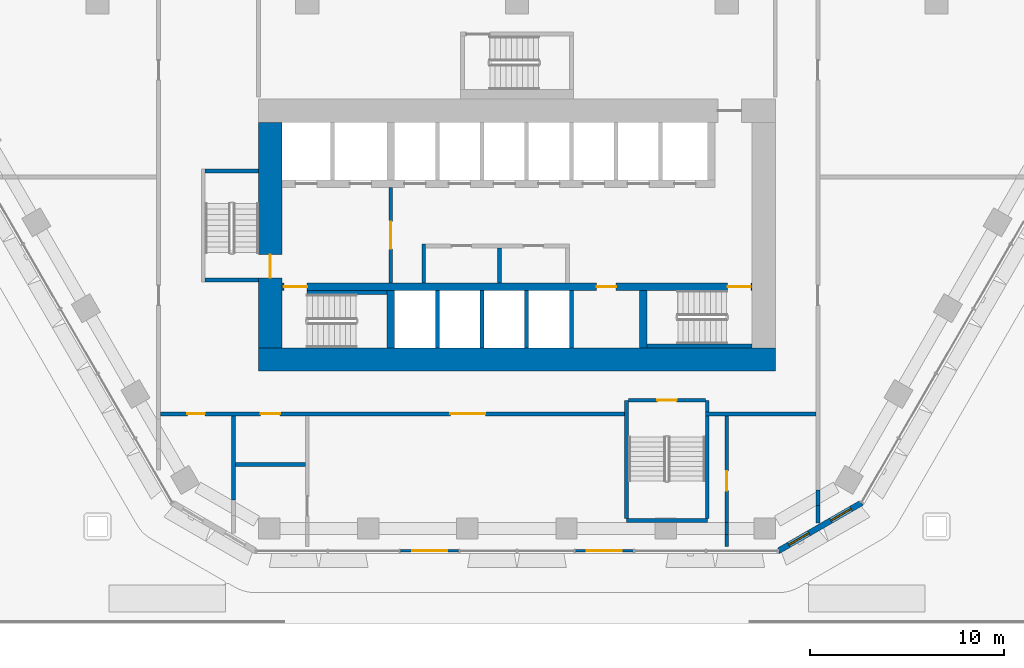
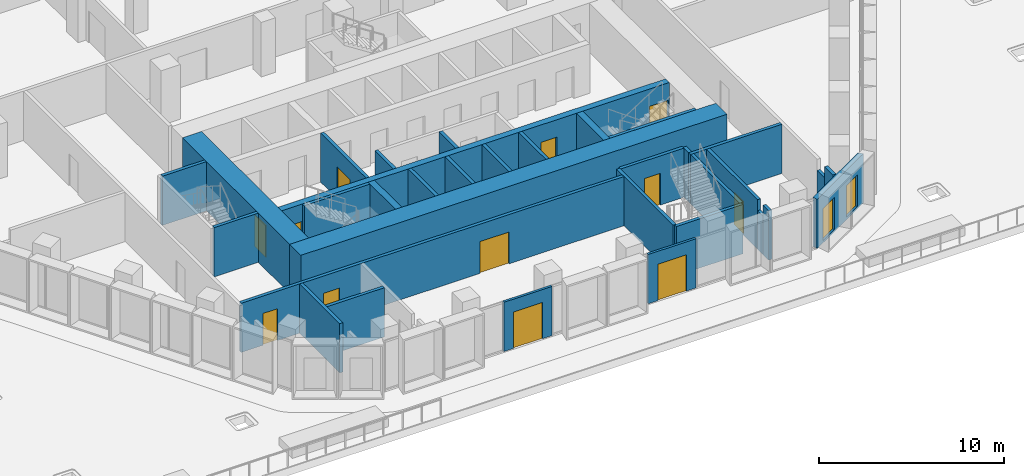
# One storey, part 22 of 38: 32 walls, 12 doors, 2 windows, 14 openings.
"""IFC4 building model written with IfcOpenShell, lengths in metres."""

from ifc_helpers import new_model, si_unit, direction, frame, frame_2d, origin, place, context, subcontext, project, spatial, polyline, rectangle, outline, extrude, material, layer, layer_set, type_object, element, fill, save


model = new_model("IFC4")

# Units and contexts
model_context = context("Model", 3, precision=1e-05, world=origin(), true_north=direction((0.0, 1.0)))
body_context = subcontext(model_context, "Body", "Model", "MODEL_VIEW")
ifc_project = project(units=[si_unit("LENGTHUNIT", "METRE"), si_unit("AREAUNIT", "SQUARE_METRE"), si_unit("VOLUMEUNIT", "CUBIC_METRE"), si_unit("PLANEANGLEUNIT", "RADIAN"), si_unit("MASSUNIT", "GRAM", prefix="KILO")], contexts=[model_context])

# Site, building, storey
site_placement = place(None, origin())
site = spatial("IfcSite", under=ifc_project, at=site_placement, CompositionType="ELEMENT")
building_placement = place(site_placement, origin())
building = spatial("IfcBuilding", under=site, at=building_placement, Name="Beryl Residences", CompositionType="ELEMENT")
storey_placement = place(building_placement, frame((0.0, 0.0, 9.0)))
storey = spatial("IfcBuildingStorey", under=building, at=storey_placement, Name="L02", CompositionType="ELEMENT", Elevation=9.0)

# Wall, openings, windows
ifc_material_1 = material(Name="Composite metal panel with mineral wool insulation")
ifc_layer_1 = layer(ifc_material_1, 0.300048828125)
ifc_layer_set_1 = layer_set([ifc_layer_1], Name="ES1 pale metal composite panel wall 300 mm")
wall_type_1 = type_object("IfcWallType", Name="ES1 pale metal composite panel wall 300 mm", PredefinedType="SOLIDWALL", material=ifc_layer_set_1)
wall_1_placement = place(storey_placement, frame((13.43505859375, -28.27001953125, 0.0), z_axis=(0.0, 0.0, 1.0), x_axis=(0.866010750942, 0.50002537861, 0.0)))
wall_1 = element("IfcWall", 1, at=wall_1_placement, inside=storey, type_object=wall_type_1, Name="ES1 external wall L02 S-SE", PredefinedType="SOLIDWALL", context=body_context, shape_type="SweptSolid", body=[
    extrude(outline(polyline([(0.0, -0.14990234375), (4.999755859375, -0.14990234375), (4.91943359375, 0.14990234375), (0.080322265625, 0.14990234375), (0.0, -0.14990234375)])), origin(), (0.0, 0.0, 1.0), 3.25),
])
opening_1_placement = place(wall_1_placement, frame((0.64990234375, 0.0, 0.14990234375)))
opening_1 = element("IfcOpeningElement", 2, at=opening_1_placement, cuts=wall_1, Name="Opening W2", PredefinedType="OPENING", context=body_context, shape_type="SweptSolid", body=[
    extrude(rectangle(XDim=1.199951171875, YDim=2.10009765625, at=frame_2d((0.60009765625, 1.050048828125))), frame((0.0, 0.159912109375, 0.0), z_axis=(0.0, -1.0, 0.0), x_axis=(1.0, 0.0, 0.0)), (0.0, 0.0, 1.0), 0.320068359375),
])
opening_2_placement = place(wall_1_placement, frame((3.14892578125, 0.0, 0.14990234375)))
opening_2 = element("IfcOpeningElement", 3, at=opening_2_placement, cuts=wall_1, Name="Opening W2", PredefinedType="OPENING", context=body_context, shape_type="SweptSolid", body=[
    extrude(rectangle(XDim=1.199951171875, YDim=2.10009765625, at=frame_2d((0.60009765625, 1.050048828125))), frame((0.0, 0.159912109375, 0.0), z_axis=(0.0, -1.0, 0.0), x_axis=(1.0, 0.0, 0.0)), (0.0, 0.0, 1.0), 0.320068359375),
])
ifc_material_2 = material(Name="Aluminium and clear glass", Category="aluminium")
window_type = type_object("IfcWindowType", Name="W2 chamfer window 1200 x 2100 mm", PartitioningType="SINGLE_PANEL", PredefinedType="WINDOW", material=ifc_material_2)
window_1_placement = place(opening_1_placement, origin())
window_1 = element("IfcWindow", 4, at=window_1_placement, inside=storey, type_object=window_type, Name="W2 window L02 S-SE 1", OverallHeight=2.10009765625, OverallWidth=1.199951171875, PartitioningType="SINGLE_PANEL", PredefinedType="WINDOW", context=body_context, shape_type="SweptSolid", body=[
    extrude(rectangle(XDim=1.199951171875, YDim=2.10009765625, at=frame_2d((0.60009765625, 1.050048828125))), frame((0.0, 0.030029296875, 0.0), z_axis=(0.0, -1.0, 0.0), x_axis=(1.0, 0.0, 0.0)), (0.0, 0.0, 1.0), 0.06005859375),
])
fill(opening_1, window_1)
window_2_placement = place(opening_2_placement, origin())
window_2 = element("IfcWindow", 5, at=window_2_placement, inside=storey, type_object=window_type, Name="W2 window L02 S-SE 2", OverallHeight=2.10009765625, OverallWidth=1.199951171875, PartitioningType="SINGLE_PANEL", PredefinedType="WINDOW", context=body_context, shape_type="SweptSolid", body=[
    extrude(rectangle(XDim=1.199951171875, YDim=2.10009765625, at=frame_2d((0.60009765625, 1.050048828125))), frame((0.0, 0.030029296875, 0.0), z_axis=(0.0, -1.0, 0.0), x_axis=(1.0, 0.0, 0.0)), (0.0, 0.0, 1.0), 0.06005859375),
])
fill(opening_2, window_2)

# Wall, opening, door
ifc_material_3 = material(Name="Aluminium framed insulated wall", Category="aluminium")
ifc_layer_2 = layer(ifc_material_3, 0.14990234375)
ifc_layer_set_2 = layer_set([ifc_layer_2], Name="GW1 glazed door wall 150 mm")
wall_type_2 = type_object("IfcWallType", Name="GW1 glazed door wall 150 mm", PredefinedType="SOLIDWALL", material=ifc_layer_set_2)
wall_2_placement = place(storey_placement, frame((-6.0, -28.25, 0.0), z_axis=(0.0, 0.0, 1.0), x_axis=(1.0, 0.0, 0.0)))
wall_2 = element("IfcWall", 6, at=wall_2_placement, inside=storey, type_object=wall_type_2, Name="GW1 door wall L02 S", PredefinedType="SOLIDWALL", context=body_context, shape_type="SweptSolid", body=[
    extrude(rectangle(XDim=3.0, YDim=0.14990234375, at=frame_2d((1.5, 0.0))), origin(), (0.0, 0.0, 1.0), 3.25),
])
opening_3_placement = place(wall_2_placement, frame((0.60009765625, 0.0, 0.0)))
opening_3 = element("IfcOpeningElement", 7, at=opening_3_placement, cuts=wall_2, Name="Opening SD3", PredefinedType="OPENING", context=body_context, shape_type="SweptSolid", body=[
    extrude(rectangle(XDim=1.800048828125, YDim=2.39990234375, at=frame_2d((0.89990234375, 1.199951171875))), frame((0.0, 0.0849609375, 0.0), z_axis=(0.0, -1.0, 0.0), x_axis=(1.0, 0.0, 0.0)), (0.0, 0.0, 1.0), 0.169921875),
])
ifc_material_4 = material(Name="Aluminium and clear glass", Category="aluminium")
door_type_1 = type_object("IfcDoorType", Name="SD3 sliding glass door 1800 x 2400 mm", OperationType="SLIDING_TO_LEFT", PredefinedType="DOOR", material=ifc_material_4)
door_1_placement = place(opening_3_placement, origin())
door_1 = element("IfcDoor", 8, at=door_1_placement, inside=storey, type_object=door_type_1, Name="SD3 garden door L02 S", OperationType="SLIDING_TO_LEFT", OverallHeight=2.39990234375, OverallWidth=1.800048828125, PredefinedType="DOOR", context=body_context, shape_type="SweptSolid", body=[
    extrude(rectangle(XDim=1.800048828125, YDim=2.39990234375, at=frame_2d((0.89990234375, 1.199951171875))), frame((0.0, 0.02490234375, 0.0), z_axis=(0.0, -1.0, 0.0), x_axis=(1.0, 0.0, 0.0)), (0.0, 0.0, 1.0), 0.050048828125),
])
fill(opening_3, door_1)

wall_3_placement = place(storey_placement, frame((3.0, -28.25, 0.0), z_axis=(0.0, 0.0, 1.0), x_axis=(1.0, 0.0, 0.0)))
wall_3 = element("IfcWall", 9, at=wall_3_placement, inside=storey, type_object=wall_type_2, Name="GW1 door wall L02 S", PredefinedType="SOLIDWALL", context=body_context, shape_type="SweptSolid", body=[
    extrude(rectangle(XDim=3.0, YDim=0.14990234375, at=frame_2d((1.5, 0.0))), origin(), (0.0, 0.0, 1.0), 3.25),
])
opening_4_placement = place(wall_3_placement, frame((0.60009765625, 0.0, 0.0)))
opening_4 = element("IfcOpeningElement", 10, at=opening_4_placement, cuts=wall_3, Name="Opening SD3", PredefinedType="OPENING", context=body_context, shape_type="SweptSolid", body=[
    extrude(rectangle(XDim=1.800048828125, YDim=2.39990234375, at=frame_2d((0.89990234375, 1.199951171875))), frame((0.0, 0.0849609375, 0.0), z_axis=(0.0, -1.0, 0.0), x_axis=(1.0, 0.0, 0.0)), (0.0, 0.0, 1.0), 0.169921875),
])
door_2_placement = place(opening_4_placement, origin())
door_2 = element("IfcDoor", 11, at=door_2_placement, inside=storey, type_object=door_type_1, Name="SD3 garden door L02 S", OperationType="SLIDING_TO_LEFT", OverallHeight=2.39990234375, OverallWidth=1.800048828125, PredefinedType="DOOR", context=body_context, shape_type="SweptSolid", body=[
    extrude(rectangle(XDim=1.800048828125, YDim=2.39990234375, at=frame_2d((0.89990234375, 1.199951171875))), frame((0.0, 0.02490234375, 0.0), z_axis=(0.0, -1.0, 0.0), x_axis=(1.0, 0.0, 0.0)), (0.0, 0.0, 1.0), 0.050048828125),
])
fill(opening_4, door_2)

ifc_material_5 = material(Name="Concrete masonry", Category="masonry")
ifc_layer_3 = layer(ifc_material_5, 0.199951171875)
ifc_layer_set_3 = layer_set([ifc_layer_3], Name="PT13 lobby wall 200 mm")
wall_type_3 = type_object("IfcWallType", Name="PT13 lobby wall 200 mm", PredefinedType="PARTITIONING", material=ifc_layer_set_3)
wall_4_placement = place(storey_placement, frame((-6.5, -14.449951171875, 0.0), z_axis=(0.0, 0.0, 1.0), x_axis=(0.0, 1.0, 0.0)))
wall_4 = element("IfcWall", 12, at=wall_4_placement, inside=storey, type_object=wall_type_3, Name="Lobby wall 06", PredefinedType="PARTITIONING", context=body_context, shape_type="SweptSolid", body=[
    extrude(rectangle(XDim=4.89990234375, YDim=0.199951171875, at=frame_2d((2.449951171875, 0.0))), origin(), (0.0, 0.0, 1.0), 3.25),
])
opening_5_placement = place(wall_4_placement, frame((3.14990234375, 0.0, 0.0), z_axis=(0.0, 0.0, 1.0), x_axis=(-1.0, 0.0, 0.0)))
opening_5 = element("IfcOpeningElement", 13, at=opening_5_placement, cuts=wall_4, Name="Opening FD-FFL", PredefinedType="OPENING", context=body_context, shape_type="SweptSolid", body=[
    extrude(rectangle(XDim=1.39990234375, YDim=2.10009765625, at=frame_2d((0.699951171875, 1.050048828125))), frame((0.0, 0.10986328125, 0.0), z_axis=(0.0, -1.0, 0.0), x_axis=(1.0, 0.0, 0.0)), (0.0, 0.0, 1.0), 0.219970703125),
])
ifc_material_6 = material(Name="Steel door leaf in steel frame", Category="steel")
door_type_2 = type_object("IfcDoorType", Name="D5 lobby door 1400 x 2100 mm", OperationType="DOUBLE_DOOR_SINGLE_SWING", PredefinedType="DOOR", material=ifc_material_6)
door_3_placement = place(opening_5_placement, origin())
door_3 = element("IfcDoor", 14, at=door_3_placement, inside=storey, type_object=door_type_2, Name="Door FD-FFL L02 001", OperationType="DOUBLE_DOOR_SINGLE_SWING", OverallHeight=2.10009765625, OverallWidth=1.39990234375, PredefinedType="DOOR", context=body_context, shape_type="SweptSolid", body=[
    extrude(rectangle(XDim=1.39990234375, YDim=2.10009765625, at=frame_2d((0.699951171875, 1.050048828125))), frame((0.0, 0.02490234375, 0.0), z_axis=(0.0, -1.0, 0.0), x_axis=(1.0, 0.0, 0.0)), (0.0, 0.0, 1.0), 0.050048828125),
])
fill(opening_5, door_3)

# Wall
wall_5_placement = place(storey_placement, frame((-4.800048828125, -14.449951171875, 0.0), z_axis=(0.0, 0.0, 1.0), x_axis=(0.0, 1.0, 0.0)))
element("IfcWall", 15, at=wall_5_placement, inside=storey, type_object=wall_type_3, Name="Lobby wall 07", PredefinedType="PARTITIONING", context=body_context, shape_type="SweptSolid", body=[
    extrude(rectangle(XDim=2.0, YDim=0.199951171875, at=frame_2d((1.0, 0.0))), origin(), (0.0, 0.0, 1.0), 3.25),
])

# Wall, openings, doors
ifc_material_7 = material(Name="Double stud gypsum board wall")
ifc_layer_4 = layer(ifc_material_7, 0.199951171875)
ifc_layer_set_4 = layer_set([ifc_layer_4], Name="PT4 corridor wall 200 mm double stud")
wall_type_4 = type_object("IfcWallType", Name="PT4 corridor wall 200 mm double stud", PredefinedType="PARTITIONING", material=ifc_layer_set_4)
wall_6_placement = place(storey_placement, frame((-18.35009765625, -21.199951171875, 0.0), z_axis=(0.0, 0.0, 1.0), x_axis=(1.0, 0.0, 0.0)))
wall_6 = element("IfcWall", 16, at=wall_6_placement, inside=storey, type_object=wall_type_4, Name="Wall PT4 L02 001", PredefinedType="PARTITIONING", context=body_context, shape_type="SweptSolid", body=[
    extrude(rectangle(XDim=24.10009765625, YDim=0.199951171875, at=frame_2d((12.050048828125, 0.0))), origin(), (0.0, 0.0, 1.0), 3.25),
])
opening_6_placement = place(wall_6_placement, frame((2.27685546875, 0.0, 0.0), z_axis=(0.0, 0.0, 1.0), x_axis=(-1.0, 0.0, 0.0)))
opening_6 = element("IfcOpeningElement", 17, at=opening_6_placement, cuts=wall_6, Name="Opening L02-01", PredefinedType="OPENING", context=body_context, shape_type="SweptSolid", body=[
    extrude(rectangle(XDim=0.89990234375, YDim=2.10009765625, at=frame_2d((0.449951171875, 1.050048828125))), frame((0.0, 0.10986328125, 0.0), z_axis=(0.0, -1.0, 0.0), x_axis=(1.0, 0.0, 0.0)), (0.0, 0.0, 1.0), 0.219970703125),
])
opening_7_placement = place(wall_6_placement, frame((6.14990234375, 0.0, 0.0), z_axis=(0.0, 0.0, 1.0), x_axis=(-1.0, 0.0, 0.0)))
opening_7 = element("IfcOpeningElement", 18, at=opening_7_placement, cuts=wall_6, Name="Opening L02-02", PredefinedType="OPENING", context=body_context, shape_type="SweptSolid", body=[
    extrude(rectangle(XDim=1.0, YDim=2.10009765625, at=frame_2d((0.5, 1.050048828125))), frame((0.0, 0.10986328125, 0.0), z_axis=(0.0, -1.0, 0.0), x_axis=(1.0, 0.0, 0.0)), (0.0, 0.0, 1.0), 0.219970703125),
])
opening_8_placement = place(wall_6_placement, frame((14.923095703125, 0.0, 0.0)))
opening_8 = element("IfcOpeningElement", 19, at=opening_8_placement, cuts=wall_6, Name="Opening L02-27", PredefinedType="OPENING", context=body_context, shape_type="SweptSolid", body=[
    extrude(rectangle(XDim=1.800048828125, YDim=2.10009765625, at=frame_2d((0.89990234375, 1.050048828125))), frame((0.0, 0.10986328125, 0.0), z_axis=(0.0, -1.0, 0.0), x_axis=(1.0, 0.0, 0.0)), (0.0, 0.0, 1.0), 0.219970703125),
])
ifc_material_8 = material(Name="Timber door leaf", Category="wood")
door_type_3 = type_object("IfcDoorType", Name="D19 room door 1000 x 2100 mm", OperationType="SINGLE_SWING_LEFT", PredefinedType="DOOR", material=ifc_material_8)
door_4_placement = place(opening_7_placement, origin())
door_4 = element("IfcDoor", 20, at=door_4_placement, inside=storey, type_object=door_type_3, Name="Door L02-02 L02 001", OperationType="SINGLE_SWING_LEFT", OverallHeight=2.10009765625, OverallWidth=1.0, PredefinedType="DOOR", context=body_context, shape_type="SweptSolid", body=[
    extrude(rectangle(XDim=1.0, YDim=2.10009765625, at=frame_2d((0.5, 1.050048828125))), frame((0.0, 0.02490234375, 0.0), z_axis=(0.0, -1.0, 0.0), x_axis=(1.0, 0.0, 0.0)), (0.0, 0.0, 1.0), 0.050048828125),
])
fill(opening_7, door_4)
ifc_material_9 = material(Name="Timber door leaf", Category="wood")
door_type_4 = type_object("IfcDoorType", Name="D2 room door 900 x 2100 mm", OperationType="SINGLE_SWING_LEFT", PredefinedType="DOOR", material=ifc_material_9)
door_5_placement = place(opening_6_placement, origin())
door_5 = element("IfcDoor", 21, at=door_5_placement, inside=storey, type_object=door_type_4, Name="Door L02-01 L02 001", OperationType="SINGLE_SWING_RIGHT", OverallHeight=2.10009765625, OverallWidth=0.89990234375, PredefinedType="DOOR", context=body_context, shape_type="SweptSolid", body=[
    extrude(rectangle(XDim=0.89990234375, YDim=2.10009765625, at=frame_2d((0.449951171875, 1.050048828125))), frame((0.0, 0.02490234375, 0.0), z_axis=(0.0, -1.0, 0.0), x_axis=(1.0, 0.0, 0.0)), (0.0, 0.0, 1.0), 0.050048828125),
])
fill(opening_6, door_5)
ifc_material_10 = material(Name="Timber door leaf", Category="wood")
door_type_5 = type_object("IfcDoorType", Name="D20 corridor door 1800 x 2100 mm", OperationType="DOUBLE_DOOR_SINGLE_SWING", PredefinedType="DOOR", material=ifc_material_10)
door_6_placement = place(opening_8_placement, origin())
door_6 = element("IfcDoor", 22, at=door_6_placement, inside=storey, type_object=door_type_5, Name="Door L02-27 L02 001", OperationType="DOUBLE_DOOR_SINGLE_SWING", OverallHeight=2.10009765625, OverallWidth=1.800048828125, PredefinedType="DOOR", context=body_context, shape_type="SweptSolid", body=[
    extrude(rectangle(XDim=1.800048828125, YDim=2.10009765625, at=frame_2d((0.89990234375, 1.050048828125))), frame((0.0, 0.02490234375, 0.0), z_axis=(0.0, -1.0, 0.0), x_axis=(1.0, 0.0, 0.0)), (0.0, 0.0, 1.0), 0.050048828125),
])
fill(opening_8, door_6)

# Wall
ifc_material_11 = material(Name="Concrete C40/50", Category="concrete")
ifc_layer_5 = layer(ifc_material_11, 0.199951171875)
ifc_layer_set_5 = layer_set([ifc_layer_5], Name="PT5 stair enclosure wall 200 mm reinforced concrete C40/50")
wall_type_5 = type_object("IfcWallType", Name="PT5 stair enclosure wall 200 mm reinforced concrete C40/50", PredefinedType="SOLIDWALL", material=ifc_layer_set_5)
wall_7_placement = place(storey_placement, frame((5.64990234375, -26.699951171875, 0.0), z_axis=(0.0, 0.0, 1.0), x_axis=(1.0, 0.0, 0.0)))
element("IfcWall", 23, at=wall_7_placement, inside=storey, type_object=wall_type_5, Name="Wall PT5 L02 005", PredefinedType="SOLIDWALL", context=body_context, shape_type="SweptSolid", body=[
    extrude(rectangle(XDim=4.150146484375, YDim=0.199951171875, at=frame_2d((2.0751953125, 0.0))), origin(), (0.0, 0.0, 1.0), 3.25),
])

# Wall, opening, door
wall_8_placement = place(storey_placement, frame((5.75, -20.5, 0.0), z_axis=(0.0, 0.0, 1.0), x_axis=(1.0, 0.0, 0.0)))
wall_8 = element("IfcWall", 24, at=wall_8_placement, inside=storey, type_object=wall_type_5, Name="Wall PT5 L02 007", PredefinedType="SOLIDWALL", context=body_context, shape_type="SweptSolid", body=[
    extrude(rectangle(XDim=3.949951171875, YDim=0.199951171875, at=frame_2d((1.97509765625, 0.0))), origin(), (0.0, 0.0, 1.0), 3.25),
])
opening_9_placement = place(wall_8_placement, frame((2.47509765625, 0.0, 0.0), z_axis=(0.0, 0.0, 1.0), x_axis=(-1.0, 0.0, 0.0)))
opening_9 = element("IfcOpeningElement", 25, at=opening_9_placement, cuts=wall_8, Name="Opening L02-16", PredefinedType="OPENING", context=body_context, shape_type="SweptSolid", body=[
    extrude(rectangle(XDim=1.0, YDim=2.10009765625, at=frame_2d((0.5, 1.050048828125))), frame((0.0, 0.10986328125, 0.0), z_axis=(0.0, -1.0, 0.0), x_axis=(1.0, 0.0, 0.0)), (0.0, 0.0, 1.0), 0.219970703125),
])
ifc_material_12 = material(Name="Steel door leaf in steel frame", Category="steel")
door_type_6 = type_object("IfcDoorType", Name="D15 stair door 1000 x 2100 mm", OperationType="SINGLE_SWING_LEFT", PredefinedType="DOOR", material=ifc_material_12)
door_7_placement = place(opening_9_placement, origin())
door_7 = element("IfcDoor", 26, at=door_7_placement, inside=storey, type_object=door_type_6, Name="Door L02-16 L02 001", OperationType="SINGLE_SWING_LEFT", OverallHeight=2.10009765625, OverallWidth=1.0, PredefinedType="DOOR", context=body_context, shape_type="SweptSolid", body=[
    extrude(rectangle(XDim=1.0, YDim=2.10009765625, at=frame_2d((0.5, 1.050048828125))), frame((0.0, 0.02490234375, 0.0), z_axis=(0.0, -1.0, 0.0), x_axis=(1.0, 0.0, 0.0)), (0.0, 0.0, 1.0), 0.050048828125),
])
fill(opening_9, door_7)

# Walls
for number, where, z_axis, x_axis, name in (
    (27, (5.64990234375, -26.60009765625, 0.0), (0.0, 0.0, 1.0), (0.0, 1.0, 0.0), "Wall PT5 L02 026"),
    (28, (9.800048828125, -26.60009765625, 0.0), (0.0, 0.0, 1.0), (0.0, 1.0, 0.0), "Wall PT5 L02 027"),
):
    element("IfcWall", number, at=place(storey_placement, frame(where, z_axis=z_axis, x_axis=x_axis)), inside=storey, type_object=wall_type_5, Name=name, PredefinedType="SOLIDWALL", context=body_context, shape_type="SweptSolid", body=[
        extrude(rectangle(XDim=6.10009765625, YDim=0.199951171875, at=frame_2d((3.050048828125, 0.0))), origin(), (0.0, 0.0, 1.0), 3.25),
    ])
for number, where, z_axis, x_axis, name in (
    (29, (-16.050048828125, -14.300048828125, 0.0), (0.0, 0.0, 1.0), (1.0, 0.0, 0.0), "Stair wall 02"),
    (30, (-16.050048828125, -8.699951171875, 0.0), (0.0, 0.0, 1.0), (1.0, 0.0, 0.0), "Stair wall 03"),
):
    element("IfcWall", number, at=place(storey_placement, frame(where, z_axis=z_axis, x_axis=x_axis)), inside=storey, type_object=wall_type_5, Name=name, PredefinedType="SOLIDWALL", context=body_context, shape_type="SweptSolid", body=[
        extrude(rectangle(XDim=2.75, YDim=0.199951171875, at=frame_2d((1.375, 0.0))), origin(), (0.0, 0.0, 1.0), 3.25),
    ])
wall_9_placement = place(storey_placement, frame((-10.800048828125, -14.949951171875, 0.0), z_axis=(0.0, 0.0, 1.0), x_axis=(1.0, 0.0, 0.0)))
element("IfcWall", 31, at=wall_9_placement, inside=storey, type_object=wall_type_5, Name="Stair wall 04", PredefinedType="SOLIDWALL", context=body_context, shape_type="SweptSolid", body=[
    extrude(rectangle(XDim=4.10009765625, YDim=0.199951171875, at=frame_2d((2.050048828125, 0.0))), origin(), (0.0, 0.0, 1.0), 3.25),
])
wall_10_placement = place(storey_placement, frame((6.699951171875, -17.699951171875, 0.0), z_axis=(0.0, 0.0, 1.0), x_axis=(1.0, 0.0, 0.0)))
element("IfcWall", 32, at=wall_10_placement, inside=storey, type_object=wall_type_5, Name="Stair wall 20", PredefinedType="SOLIDWALL", context=body_context, shape_type="SweptSolid", body=[
    extrude(rectangle(XDim=5.400146484375, YDim=0.199951171875, at=frame_2d((2.7001953125, 0.0))), origin(), (0.0, 0.0, 1.0), 3.25),
])
ifc_material_13 = material(Name="Concrete C40/50", Category="concrete")
ifc_layer_6 = layer(ifc_material_13, 0.199951171875)
ifc_layer_set_6 = layer_set([ifc_layer_6], Name="PT6 lift shaft wall 200 mm reinforced concrete C40/50")
wall_type_6 = type_object("IfcWallType", Name="PT6 lift shaft wall 200 mm reinforced concrete C40/50", PredefinedType="SOLIDWALL", material=ifc_layer_set_6)
for number, where, z_axis, x_axis, name in (
    (33, (-4.10009765625, -17.800048828125, 0.0), (0.0, 0.0, 1.0), (0.0, 1.0, 0.0), "Lift shaft wall 09"),
    (34, (-1.800048828125, -17.800048828125, 0.0), (0.0, 0.0, 1.0), (0.0, 1.0, 0.0), "Lift shaft wall 11"),
    (35, (0.5, -17.800048828125, 0.0), (0.0, 0.0, 1.0), (0.0, 1.0, 0.0), "Lift shaft wall 14"),
    (36, (2.800048828125, -17.800048828125, 0.0), (0.0, 0.0, 1.0), (0.0, 1.0, 0.0), "Lift shaft wall 17"),
):
    element("IfcWall", number, at=place(storey_placement, frame(where, z_axis=z_axis, x_axis=x_axis)), inside=storey, type_object=wall_type_6, Name=name, PredefinedType="SOLIDWALL", context=body_context, shape_type="SweptSolid", body=[
        extrude(rectangle(XDim=2.949951171875, YDim=0.199951171875, at=frame_2d((1.47509765625, 0.0))), origin(), (0.0, 0.0, 1.0), 3.25),
    ])
ifc_material_14 = material(Name="Concrete masonry", Category="masonry")
ifc_layer_7 = layer(ifc_material_14, 0.199951171875)
ifc_layer_set_7 = layer_set([ifc_layer_7], Name="PT8-200 service room wall 200 mm")
wall_type_7 = type_object("IfcWallType", Name="PT8-200 service room wall 200 mm", PredefinedType="PARTITIONING", material=ifc_layer_set_7)
wall_11_placement = place(storey_placement, frame((-14.5, -23.800048828125, 0.0), z_axis=(0.0, 0.0, 1.0), x_axis=(1.0, 0.0, 0.0)))
element("IfcWall", 37, at=wall_11_placement, inside=storey, type_object=wall_type_7, Name="Wall PT8-200 L02 001", PredefinedType="PARTITIONING", context=body_context, shape_type="SweptSolid", body=[
    extrude(rectangle(XDim=3.60009765625, YDim=0.199951171875, at=frame_2d((1.800048828125, 0.0))), origin(), (0.0, 0.0, 1.0), 3.25),
])
wall_12_placement = place(storey_placement, frame((9.699951171875, -21.199951171875, 0.0), z_axis=(0.0, 0.0, 1.0), x_axis=(1.0, 0.0, 0.0)))
element("IfcWall", 38, at=wall_12_placement, inside=storey, type_object=wall_type_7, Name="Wall PT8-200 L02 002", PredefinedType="PARTITIONING", context=body_context, shape_type="SweptSolid", body=[
    extrude(rectangle(XDim=5.699951171875, YDim=0.199951171875, at=frame_2d((2.85009765625, 0.0))), origin(), (0.0, 0.0, 1.0), 3.25),
])
wall_13_placement = place(storey_placement, frame((-14.60009765625, -25.633056640625, 0.0), z_axis=(0.0, 0.0, 1.0), x_axis=(0.0, 1.0, 0.0)))
element("IfcWall", 39, at=wall_13_placement, inside=storey, type_object=wall_type_7, Name="Wall PT8-200 L02 005", PredefinedType="PARTITIONING", context=body_context, shape_type="SweptSolid", body=[
    extrude(rectangle(XDim=4.3330078125, YDim=0.199951171875, at=frame_2d((2.16650390625, 0.0))), origin(), (0.0, 0.0, 1.0), 3.25),
])
wall_14_placement = place(storey_placement, frame((10.800048828125, -28.02001953125, 0.0), z_axis=(0.0, 0.0, 1.0), x_axis=(0.0, 1.0, 0.0)))
element("IfcWall", 40, at=wall_14_placement, inside=storey, type_object=wall_type_7, Name="Wall PT8-200 L02 009", PredefinedType="PARTITIONING", context=body_context, shape_type="SweptSolid", body=[
    extrude(rectangle(XDim=0.6201171875, YDim=0.199951171875, at=frame_2d((0.31005859375, 0.0))), origin(), (0.0, 0.0, 1.0), 3.25),
])
wall_15_placement = place(storey_placement, frame((10.800048828125, -27.39990234375, 0.0), z_axis=(0.0, 0.0, 1.0), x_axis=(0.0, 1.0, 0.0)))
element("IfcWall", 41, at=wall_15_placement, inside=storey, type_object=wall_type_7, Name="Wall PT8-200 L02 010", PredefinedType="PARTITIONING", context=body_context, shape_type="SweptSolid", body=[
    extrude(rectangle(XDim=0.599853515625, YDim=0.199951171875, at=frame_2d((0.2998046875, 0.0))), origin(), (0.0, 0.0, 1.0), 2.52001953125),
])

# Wall, opening, door
wall_16_placement = place(storey_placement, frame((10.800048828125, -26.800048828125, 0.0), z_axis=(0.0, 0.0, 1.0), x_axis=(0.0, 1.0, 0.0)))
wall_16 = element("IfcWall", 42, at=wall_16_placement, inside=storey, type_object=wall_type_7, Name="Wall PT8-200 L02 011", PredefinedType="PARTITIONING", context=body_context, shape_type="SweptSolid", body=[
    extrude(rectangle(XDim=5.5, YDim=0.199951171875, at=frame_2d((2.75, 0.0))), origin(), (0.0, 0.0, 1.0), 3.25),
])
opening_10_placement = place(wall_16_placement, frame((2.64990234375, 0.0, 0.0), z_axis=(0.0, 0.0, 1.0), x_axis=(-1.0, 0.0, 0.0)))
opening_10 = element("IfcOpeningElement", 43, at=opening_10_placement, cuts=wall_16, Name="Opening L02-04", PredefinedType="OPENING", context=body_context, shape_type="SweptSolid", body=[
    extrude(rectangle(XDim=1.0, YDim=2.10009765625, at=frame_2d((0.5, 1.050048828125))), frame((0.0, 0.10986328125, 0.0), z_axis=(0.0, -1.0, 0.0), x_axis=(1.0, 0.0, 0.0)), (0.0, 0.0, 1.0), 0.219970703125),
])
ifc_material_15 = material(Name="Timber door leaf", Category="wood")
door_type_7 = type_object("IfcDoorType", Name="D9 corridor door 1000 x 2100 mm", OperationType="SINGLE_SWING_LEFT", PredefinedType="DOOR", material=ifc_material_15)
door_8_placement = place(opening_10_placement, origin())
door_8 = element("IfcDoor", 44, at=door_8_placement, inside=storey, type_object=door_type_7, Name="Door L02-04 L02 001", OperationType="SINGLE_SWING_LEFT", OverallHeight=2.10009765625, OverallWidth=1.0, PredefinedType="DOOR", context=body_context, shape_type="SweptSolid", body=[
    extrude(rectangle(XDim=1.0, YDim=2.10009765625, at=frame_2d((0.5, 1.050048828125))), frame((0.0, 0.02490234375, 0.0), z_axis=(0.0, -1.0, 0.0), x_axis=(1.0, 0.0, 0.0)), (0.0, 0.0, 1.0), 0.050048828125),
])
fill(opening_10, door_8)

# Walls
wall_17_placement = place(storey_placement, frame((15.5, -26.81201171875, 0.0), z_axis=(0.0, 0.0, 1.0), x_axis=(0.0, 1.0, 0.0)))
element("IfcWall", 45, at=wall_17_placement, inside=storey, type_object=wall_type_7, Name="Wall PT8-200 L02 012", PredefinedType="PARTITIONING", context=body_context, shape_type="SweptSolid", body=[
    extrude(rectangle(XDim=0.889892578125, YDim=0.199951171875, at=frame_2d((0.44482421875, 0.0))), origin(), (0.0, 0.0, 1.0), 3.25),
])
wall_18_placement = place(storey_placement, frame((15.5, -25.922119140625, 0.0), z_axis=(0.0, 0.0, 1.0), x_axis=(0.0, 1.0, 0.0)))
element("IfcWall", 46, at=wall_18_placement, inside=storey, type_object=wall_type_7, Name="Wall PT8-200 L02 013", PredefinedType="PARTITIONING", context=body_context, shape_type="SweptSolid", body=[
    extrude(rectangle(XDim=0.80810546875, YDim=0.199951171875, at=frame_2d((0.404052734375, 0.0))), origin(), (0.0, 0.0, 1.0), 2.52001953125),
])
wall_19_placement = place(storey_placement, frame((-0.89990234375, -14.449951171875, 0.0), z_axis=(0.0, 0.0, 1.0), x_axis=(0.0, 1.0, 0.0)))
element("IfcWall", 47, at=wall_19_placement, inside=storey, type_object=wall_type_7, Name="Core room wall 13", PredefinedType="PARTITIONING", context=body_context, shape_type="SweptSolid", body=[
    extrude(rectangle(XDim=1.800048828125, YDim=0.199951171875, at=frame_2d((0.89990234375, 0.0))), origin(), (0.0, 0.0, 1.0), 3.25),
])
ifc_material_16 = material(Name="Concrete C80/95", Category="concrete")
ifc_layer_8 = layer(ifc_material_16, 1.199951171875)
ifc_layer_set_8 = layer_set([ifc_layer_8], Name="SW1 core outer wall 1200 mm C80/95")
wall_type_8 = type_object("IfcWallType", Name="SW1 core outer wall 1200 mm C80/95", PredefinedType="SHEAR", material=ifc_layer_set_8)
wall_20_placement = place(storey_placement, frame((-13.300048828125, -18.39990234375, 0.0), z_axis=(0.0, 0.0, 1.0), x_axis=(1.0, 0.0, 0.0)))
element("IfcWall", 48, at=wall_20_placement, inside=storey, type_object=wall_type_8, Name="Core wall S L02", PredefinedType="SHEAR", context=body_context, shape_type="SweptSolid", body=[
    extrude(rectangle(XDim=26.60009765625, YDim=1.199951171875, at=frame_2d((13.300048828125, 0.0))), origin(), (0.0, 0.0, 1.0), 3.25),
])

# Wall, opening, door
wall_21_placement = place(storey_placement, frame((-12.699951171875, -17.800048828125, 0.0), z_axis=(0.0, 0.0, 1.0), x_axis=(0.0, 1.0, 0.0)))
wall_21 = element("IfcWall", 49, at=wall_21_placement, inside=storey, type_object=wall_type_8, Name="Core wall W L02", PredefinedType="SHEAR", context=body_context, shape_type="SweptSolid", body=[
    extrude(rectangle(XDim=11.60009765625, YDim=1.199951171875, at=frame_2d((5.800048828125, 0.0))), origin(), (0.0, 0.0, 1.0), 3.25),
])
opening_11_placement = place(wall_21_placement, frame((3.60009765625, 0.0, 0.0)))
opening_11 = element("IfcOpeningElement", 50, at=opening_11_placement, cuts=wall_21, Name="Opening SD-2", PredefinedType="OPENING", context=body_context, shape_type="SweptSolid", body=[
    extrude(rectangle(XDim=1.199951171875, YDim=2.10009765625, at=frame_2d((0.60009765625, 1.050048828125))), frame((0.0, 0.60986328125, 0.0), z_axis=(0.0, -1.0, 0.0), x_axis=(1.0, 0.0, 0.0)), (0.0, 0.0, 1.0), 1.219970703125),
])
ifc_material_17 = material(Name="Steel door leaf in steel frame", Category="steel")
door_type_8 = type_object("IfcDoorType", Name="D4 stair door 1200 x 2100 mm", OperationType="SINGLE_SWING_LEFT", PredefinedType="DOOR", material=ifc_material_17)
door_9_placement = place(opening_11_placement, origin())
door_9 = element("IfcDoor", 51, at=door_9_placement, inside=storey, type_object=door_type_8, Name="Door SD-2 L02 001", OperationType="SINGLE_SWING_RIGHT", OverallHeight=2.10009765625, OverallWidth=1.199951171875, PredefinedType="DOOR", context=body_context, shape_type="SweptSolid", body=[
    extrude(rectangle(XDim=1.199951171875, YDim=2.10009765625, at=frame_2d((0.60009765625, 1.050048828125))), frame((0.0, 0.02490234375, 0.0), z_axis=(0.0, -1.0, 0.0), x_axis=(1.0, 0.0, 0.0)), (0.0, 0.0, 1.0), 0.050048828125),
])
fill(opening_11, door_9)

# Wall, openings, doors
ifc_material_18 = material(Name="Concrete C80/95", Category="concrete")
ifc_layer_9 = layer(ifc_material_18, 0.39990234375)
ifc_layer_set_9 = layer_set([ifc_layer_9], Name="SW6 core internal wall 400 mm C80/95")
wall_type_9 = type_object("IfcWallType", Name="SW6 core internal wall 400 mm C80/95", PredefinedType="SHEAR", material=ifc_layer_set_9)
wall_22_placement = place(storey_placement, frame((-12.10009765625, -14.64990234375, 0.0), z_axis=(0.0, 0.0, 1.0), x_axis=(1.0, 0.0, 0.0)))
wall_22 = element("IfcWall", 52, at=wall_22_placement, inside=storey, type_object=wall_type_9, Name="Core wall SP1 L02", PredefinedType="SHEAR", context=body_context, shape_type="SweptSolid", body=[
    extrude(rectangle(XDim=24.2001953125, YDim=0.39990234375, at=frame_2d((12.10009765625, 0.0))), origin(), (0.0, 0.0, 1.0), 3.25),
])
opening_12_placement = place(wall_22_placement, frame((1.300048828125, 0.0, 0.0), z_axis=(0.0, 0.0, 1.0), x_axis=(-1.0, 0.0, 0.0)))
opening_12 = element("IfcOpeningElement", 53, at=opening_12_placement, cuts=wall_22, Name="Opening SD-1", PredefinedType="OPENING", context=body_context, shape_type="SweptSolid", body=[
    extrude(rectangle(XDim=1.199951171875, YDim=2.10009765625, at=frame_2d((0.60009765625, 1.050048828125))), frame((0.0, 0.2099609375, 0.0), z_axis=(0.0, -1.0, 0.0), x_axis=(1.0, 0.0, 0.0)), (0.0, 0.0, 1.0), 0.419921875),
])
opening_13_placement = place(wall_22_placement, frame((24.14990234375, 0.0, 0.0), z_axis=(0.0, 0.0, 1.0), x_axis=(-1.0, 0.0, 0.0)))
opening_13 = element("IfcOpeningElement", 54, at=opening_13_placement, cuts=wall_22, Name="Opening SD-3", PredefinedType="OPENING", context=body_context, shape_type="SweptSolid", body=[
    extrude(rectangle(XDim=1.199951171875, YDim=2.10009765625, at=frame_2d((0.60009765625, 1.050048828125))), frame((0.0, 0.2099609375, 0.0), z_axis=(0.0, -1.0, 0.0), x_axis=(1.0, 0.0, 0.0)), (0.0, 0.0, 1.0), 0.419921875),
])
opening_14_placement = place(wall_22_placement, frame((17.199951171875, 0.0, 0.0), z_axis=(0.0, 0.0, 1.0), x_axis=(-1.0, 0.0, 0.0)))
opening_14 = element("IfcOpeningElement", 55, at=opening_14_placement, cuts=wall_22, Name="Opening CD-D-S1", PredefinedType="OPENING", context=body_context, shape_type="SweptSolid", body=[
    extrude(rectangle(XDim=1.0, YDim=2.10009765625, at=frame_2d((0.5, 1.050048828125))), frame((0.0, 0.2099609375, 0.0), z_axis=(0.0, -1.0, 0.0), x_axis=(1.0, 0.0, 0.0)), (0.0, 0.0, 1.0), 0.419921875),
])
ifc_material_19 = material(Name="Steel door leaf in steel frame", Category="steel")
door_type_9 = type_object("IfcDoorType", Name="D18 service room door 1000 x 2100 mm", OperationType="SINGLE_SWING_LEFT", PredefinedType="DOOR", material=ifc_material_19)
door_10_placement = place(opening_14_placement, origin())
door_10 = element("IfcDoor", 56, at=door_10_placement, inside=storey, type_object=door_type_9, Name="Door CD-D-S1 L02 001", OperationType="SINGLE_SWING_RIGHT", OverallHeight=2.10009765625, OverallWidth=1.0, PredefinedType="DOOR", context=body_context, shape_type="SweptSolid", body=[
    extrude(rectangle(XDim=1.0, YDim=2.10009765625, at=frame_2d((0.5, 1.050048828125))), frame((0.0, 0.02490234375, 0.0), z_axis=(0.0, -1.0, 0.0), x_axis=(1.0, 0.0, 0.0)), (0.0, 0.0, 1.0), 0.050048828125),
])
fill(opening_14, door_10)
door_11_placement = place(opening_12_placement, origin())
door_11 = element("IfcDoor", 57, at=door_11_placement, inside=storey, type_object=door_type_8, Name="Door SD-1 L02 001", OperationType="SINGLE_SWING_RIGHT", OverallHeight=2.10009765625, OverallWidth=1.199951171875, PredefinedType="DOOR", context=body_context, shape_type="SweptSolid", body=[
    extrude(rectangle(XDim=1.199951171875, YDim=2.10009765625, at=frame_2d((0.60009765625, 1.050048828125))), frame((0.0, 0.02490234375, 0.0), z_axis=(0.0, -1.0, 0.0), x_axis=(1.0, 0.0, 0.0)), (0.0, 0.0, 1.0), 0.050048828125),
])
fill(opening_12, door_11)
door_12_placement = place(opening_13_placement, origin())
door_12 = element("IfcDoor", 58, at=door_12_placement, inside=storey, type_object=door_type_8, Name="Door SD-3 L02 001", OperationType="SINGLE_SWING_RIGHT", OverallHeight=2.10009765625, OverallWidth=1.199951171875, PredefinedType="DOOR", context=body_context, shape_type="SweptSolid", body=[
    extrude(rectangle(XDim=1.199951171875, YDim=2.10009765625, at=frame_2d((0.60009765625, 1.050048828125))), frame((0.0, 0.02490234375, 0.0), z_axis=(0.0, -1.0, 0.0), x_axis=(1.0, 0.0, 0.0)), (0.0, 0.0, 1.0), 0.050048828125),
])
fill(opening_13, door_12)

# Walls
for number, where, z_axis, x_axis, name in (
    (59, (-6.5, -17.800048828125, 0.0), (0.0, 0.0, 1.0), (0.0, 1.0, 0.0), "Core wall XS1 L02"),
    (60, (6.5, -17.800048828125, 0.0), (0.0, 0.0, 1.0), (0.0, 1.0, 0.0), "Core wall XS2 L02"),
):
    element("IfcWall", number, at=place(storey_placement, frame(where, z_axis=z_axis, x_axis=x_axis)), inside=storey, type_object=wall_type_9, Name=name, PredefinedType="SHEAR", context=body_context, shape_type="SweptSolid", body=[
        extrude(rectangle(XDim=2.949951171875, YDim=0.39990234375, at=frame_2d((1.47509765625, 0.0))), origin(), (0.0, 0.0, 1.0), 3.25),
    ])

save(model, "model.ifc")
